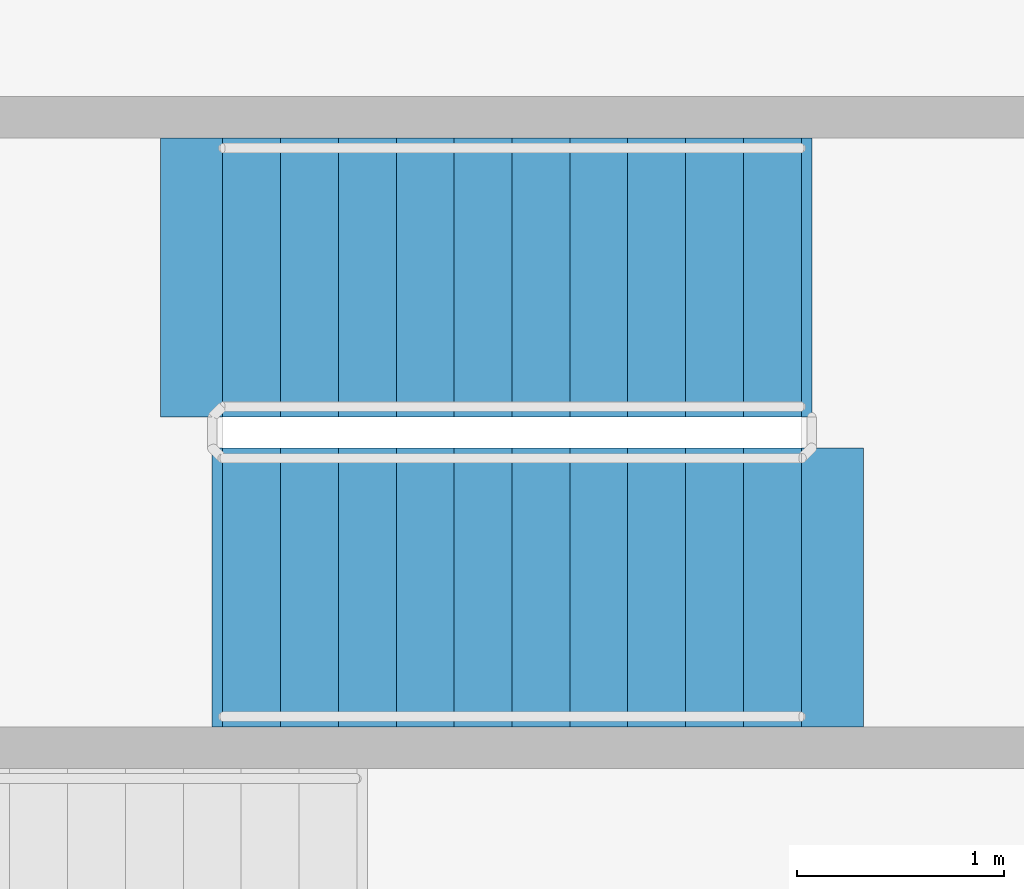
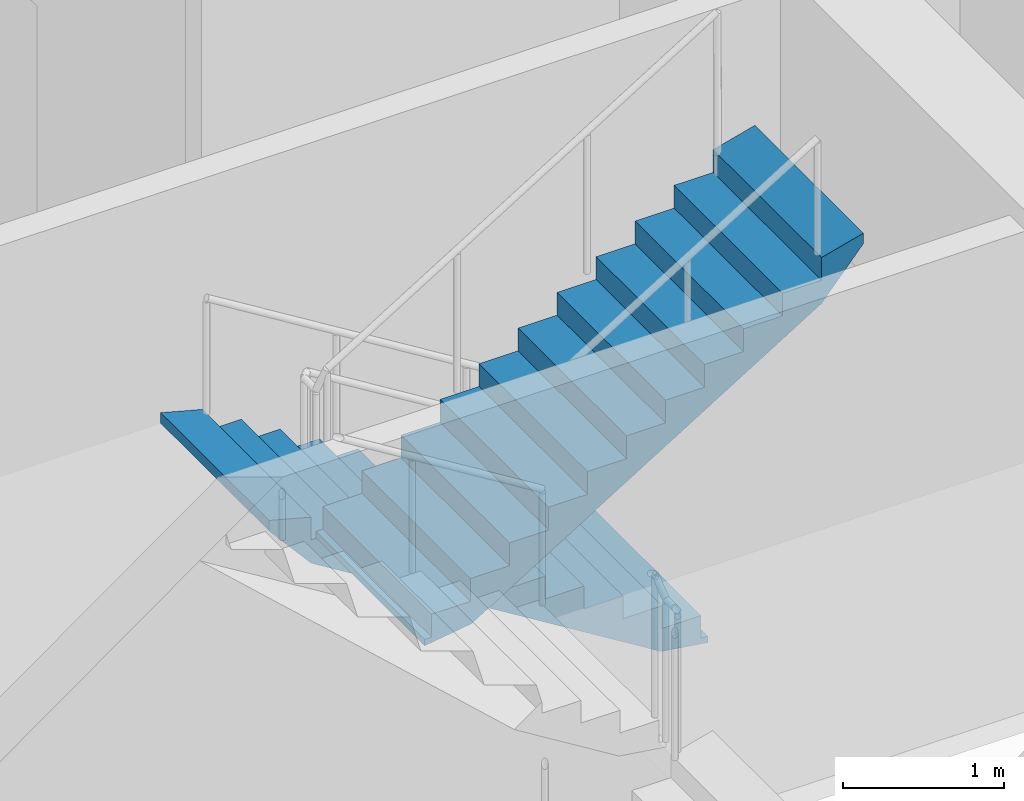
# One storey, part 16 of 19: 2 stair flights, 1 element without a shape of its own.
"""IFC4 building model written with IfcOpenShell, lengths in metres."""

from ifc_helpers import new_model, si_unit, direction, frame, origin, place, context, subcontext, project, spatial, polyline, outline, extrude, material, type_object, element, aggregate, save


model = new_model("IFC4")

# Units and contexts
model_context = context("Model", 3, precision=1e-05, world=origin(), true_north=direction((0.0, 1.0)))
body_context = subcontext(model_context, "Body", "Model", "MODEL_VIEW")
ifc_project = project(units=[si_unit("LENGTHUNIT", "METRE"), si_unit("AREAUNIT", "SQUARE_METRE"), si_unit("VOLUMEUNIT", "CUBIC_METRE"), si_unit("PLANEANGLEUNIT", "RADIAN"), si_unit("MASSUNIT", "GRAM", prefix="KILO")], contexts=[model_context])

# Site, building, storey
site_placement = place(None, origin())
site = spatial("IfcSite", under=ifc_project, at=site_placement, CompositionType="ELEMENT")
building_placement = place(site_placement, origin())
building = spatial("IfcBuilding", under=site, at=building_placement, Name="Zarbagh Exchange Tower", CompositionType="ELEMENT")
storey_placement = place(building_placement, frame((0.0, 0.0, 195.39990234375)))
storey = spatial("IfcBuildingStorey", under=building, at=storey_placement, Name="L47", CompositionType="ELEMENT", Elevation=195.39990234375)

# Stair, stair flights
ifc_material = material(Name="Concrete C40/50", Category="concrete")
stair_type = type_object("IfcStairType", Name="Exit stair two-flight half-turn", PredefinedType="HALF_TURN_STAIR", material=ifc_material)
stair_placement = place(storey_placement, origin())
stair = element("IfcStair", 1, at=stair_placement, inside=storey, type_object=stair_type, Name="exit stair ST1", PredefinedType="HALF_TURN_STAIR")
stair_flight_type = type_object("IfcStairFlightType", Name="Stair flight 1350 mm", PredefinedType="STRAIGHT", material=ifc_material)
stair_flight_1_placement = place(storey_placement, frame((2.550048828125, 17.375, 0.0), z_axis=(0.0, 0.0, 1.0), x_axis=(-1.0, 0.0, 0.0)))
stair_flight_1 = element("IfcStairFlight", 2, at=stair_flight_1_placement, type_object=stair_flight_type, Name="ST1 flight 1", NumberOfRisers=11, NumberOfTreads=10, PredefinedType="STRAIGHT", RiserHeight=0.172727273, TreadLength=0.28, context=body_context, shape_type="SweptSolid", body=[
    extrude(outline(polyline([(-0.050048828125, -0.050048828125), (-0.050048828125, 0.0), (0.0, 0.0), (0.0, 0.172607421875), (0.280029296875, 0.172607421875), (0.280029296875, 0.345458984375), (0.56005859375, 0.345458984375), (0.56005859375, 0.51806640625), (0.840087890625, 0.51806640625), (0.840087890625, 0.69091796875), (1.1201171875, 0.69091796875), (1.1201171875, 0.863525390625), (1.39990234375, 0.863525390625), (1.39990234375, 1.036376953125), (1.679931640625, 1.036376953125), (1.679931640625, 1.208984375), (1.9599609375, 1.208984375), (1.9599609375, 1.3818359375), (2.239990234375, 1.3818359375), (2.239990234375, 1.554443359375), (2.52001953125, 1.554443359375), (2.52001953125, 1.727294921875), (2.800048828125, 1.727294921875), (2.800048828125, 1.89990234375), (3.10009765625, 1.97998046875), (3.10009765625, 1.89990234375), (2.800048828125, 1.551025390625), (0.285400390625, 0.0), (-0.050048828125, -0.050048828125)])), frame((0.0, 0.675048828125, 0.0), z_axis=(0.0, -1.0, 0.0), x_axis=(1.0, 0.0, 0.0)), (0.0, 0.0, 1.0), 1.35009765625),
])
stair_flight_2_placement = place(storey_placement, frame((-0.25, 15.875, 1.900146484375), z_axis=(0.0, 0.0, 1.0), x_axis=(1.0, 0.0, 0.0)))
stair_flight_2 = element("IfcStairFlight", 3, at=stair_flight_2_placement, type_object=stair_flight_type, Name="ST1 flight 2", NumberOfRisers=11, NumberOfTreads=10, PredefinedType="STRAIGHT", RiserHeight=0.172727273, TreadLength=0.28, context=body_context, shape_type="SweptSolid", body=[
    extrude(outline(polyline([(-0.050048828125, -0.050048828125), (-0.050048828125, 0.0), (0.0, 0.0), (0.0, 0.172607421875), (0.280029296875, 0.172607421875), (0.280029296875, 0.345458984375), (0.56005859375, 0.345458984375), (0.56005859375, 0.51806640625), (0.840087890625, 0.51806640625), (0.840087890625, 0.69091796875), (1.1201171875, 0.69091796875), (1.1201171875, 0.863525390625), (1.39990234375, 0.863525390625), (1.39990234375, 1.036376953125), (1.679931640625, 1.036376953125), (1.679931640625, 1.208984375), (1.9599609375, 1.208984375), (1.9599609375, 1.3818359375), (2.239990234375, 1.3818359375), (2.239990234375, 1.554443359375), (2.52001953125, 1.554443359375), (2.52001953125, 1.727294921875), (2.800048828125, 1.727294921875), (2.800048828125, 1.89990234375), (3.10009765625, 1.97998046875), (3.10009765625, 1.89990234375), (2.800048828125, 1.551025390625), (0.285400390625, 0.0), (-0.050048828125, -0.050048828125)])), frame((0.0, 0.675048828125, 0.0), z_axis=(0.0, -1.0, 0.0), x_axis=(1.0, 0.0, 0.0)), (0.0, 0.0, 1.0), 1.35009765625),
])
aggregate(stair, [stair_flight_1, stair_flight_2])

save(model, "model.ifc")
